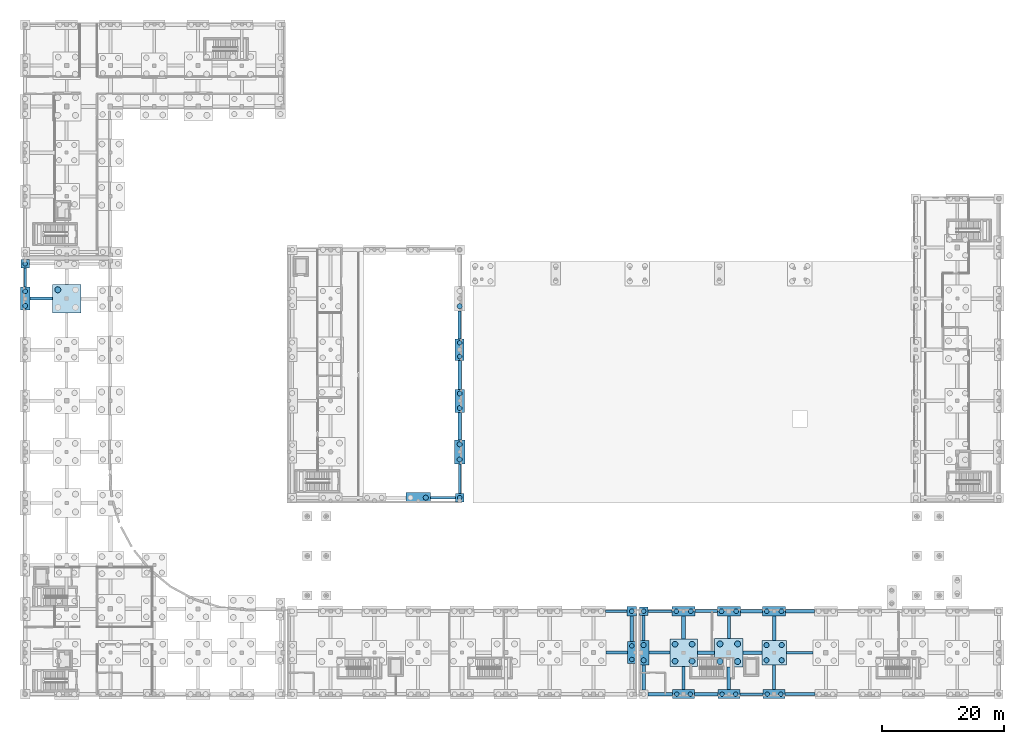
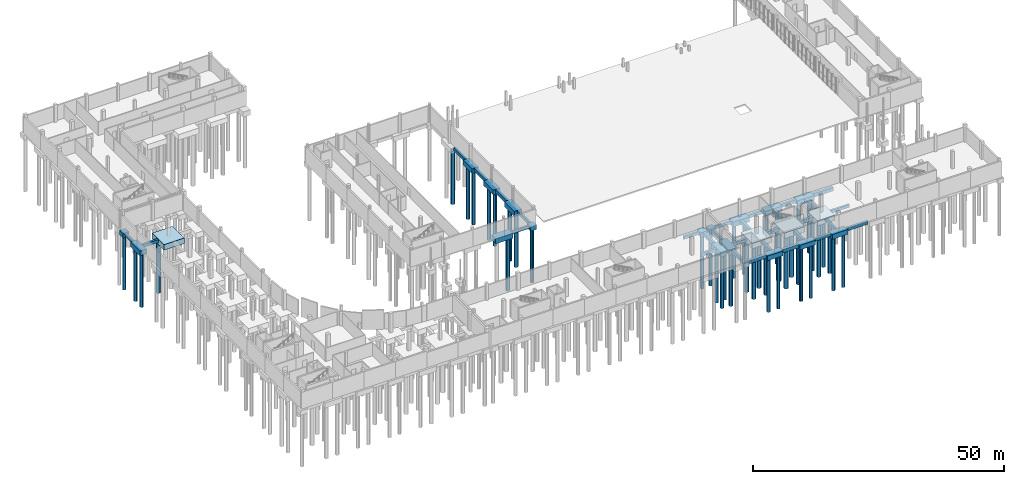
# One storey, part 5 of 41: 51 footings, 43 piles.
"""IFC4 building model written with IfcOpenShell, lengths in metres."""

from ifc_helpers import new_model, si_unit, direction, frame, origin, origin_2d, place, context, subcontext, project, spatial, rectangle, circle, extrude, material, material_profile, profile_set, type_object, element, save


model = new_model("IFC4")

# Units and contexts
model_context = context("Model", 3, precision=1e-05, world=origin(), true_north=direction((0.0, 1.0)))
body_context = subcontext(model_context, "Body", "Model", "MODEL_VIEW")
ifc_project = project(units=[si_unit("LENGTHUNIT", "METRE"), si_unit("AREAUNIT", "SQUARE_METRE"), si_unit("VOLUMEUNIT", "CUBIC_METRE"), si_unit("PLANEANGLEUNIT", "RADIAN"), si_unit("MASSUNIT", "GRAM", prefix="KILO")], contexts=[model_context])

# Site, building, storey
site_placement = place(None, origin())
site = spatial("IfcSite", under=ifc_project, at=site_placement, CompositionType="ELEMENT")
building_placement = place(site_placement, origin())
building = spatial("IfcBuilding", under=site, at=building_placement, Name="Vardoun Plaza Health Centre", CompositionType="ELEMENT")
storey_placement = place(building_placement, frame((0.0, 0.0, -4.5)))
storey = spatial("IfcBuildingStorey", under=building, at=storey_placement, Name="B1", CompositionType="ELEMENT", Elevation=-4.5)

# Footings
ifc_material_1 = material(Name="Concrete C40/50", Category="concrete")
footing_type_1 = type_object("IfcFootingType", Name="PC-01", PredefinedType="PILE_CAP", material=ifc_material_1)
for number, where, z_axis, x_axis, name in (
    (1, (76.300048828125, 37.179931640625, -1.52001953125), (0.0, 0.0, 1.0), (1.0, 0.0, 0.0), "V1 Pile Cap PC-V1-17"),
    (2, (4.8798828125, 75.6201171875, -1.52001953125), (0.0, 0.0, 1.0), (1.0, 0.0, 0.0), "V2 Pile Cap PC-V2-10"),
    (3, (106.5400390625, 18.52001953125, -1.52001953125), (0.0, 0.0, 1.0), (1.0, 0.0, 0.0), "V5 Pile Cap PC-V5-03"),
):
    element("IfcFooting", number, at=place(storey_placement, frame(where, z_axis=z_axis, x_axis=x_axis)), inside=storey, type_object=footing_type_1, Name=name, PredefinedType="PILE_CAP", context=body_context, shape_type="SweptSolid", body=[
        extrude(rectangle(XDim=1.39990234375, YDim=1.39990234375, at=origin_2d()), origin(), (0.0, 0.0, 1.0), 1.10009765625),
    ])
ifc_material_2 = material(Name="Concrete C40/50", Category="concrete")
footing_type_2 = type_object("IfcFootingType", Name="PC-02", PredefinedType="PILE_CAP", material=ifc_material_2)
footing_1_placement = place(storey_placement, frame((104.60009765625, 18.52001953125, -1.570068359375), z_axis=(0.0, 0.0, 1.0), x_axis=(1.0, 0.0, 0.0)))
element("IfcFooting", 4, at=footing_1_placement, inside=storey, type_object=footing_type_2, Name="V4 Pile Cap PC-V4-27", PredefinedType="PILE_CAP", context=body_context, shape_type="SweptSolid", body=[
    extrude(rectangle(XDim=1.550048828125, YDim=1.550048828125, at=origin_2d()), origin(), (0.0, 0.0, 1.0), 1.14990234375),
])
ifc_material_3 = material(Name="Concrete C40/50", Category="concrete")
footing_type_3 = type_object("IfcFootingType", Name="PC-03", PredefinedType="PILE_CAP", material=ifc_material_3)
for number, where, z_axis, x_axis, name in (
    (5, (76.300048828125, 61.5, -1.570068359375), (0.0, 0.0, 1.0), (0.0, 1.0, 0.0), "V1 Pile Cap PC-V1-20"),
    (6, (104.60009765625, 11.699951171875, -1.570068359375), (0.0, 0.0, 1.0), (0.0, 1.0, 0.0), "V4 Pile Cap PC-V4-26"),
    (7, (113.10009765625, 4.8798828125, -1.570068359375), (0.0, 0.0, 1.0), (1.0, 0.0, 0.0), "V5 Pile Cap PC-V5-04"),
    (8, (120.5400390625, 4.8798828125, -1.570068359375), (0.0, 0.0, 1.0), (1.0, 0.0, 0.0), "V5 Pile Cap PC-V5-07"),
    (9, (127.97998046875, 4.8798828125, -1.570068359375), (0.0, 0.0, 1.0), (1.0, 0.0, 0.0), "V5 Pile Cap PC-V5-10"),
):
    element("IfcFooting", number, at=place(storey_placement, frame(where, z_axis=z_axis, x_axis=x_axis)), inside=storey, type_object=footing_type_3, Name=name, PredefinedType="PILE_CAP", context=body_context, shape_type="SweptSolid", body=[
        extrude(rectangle(XDim=3.60009765625, YDim=1.5, at=origin_2d()), origin(), (0.0, 0.0, 1.0), 1.14990234375),
    ])
ifc_material_4 = material(Name="Concrete C40/50", Category="concrete")
footing_type_4 = type_object("IfcFootingType", Name="PC-04", PredefinedType="PILE_CAP", material=ifc_material_4)
for number, where, z_axis, x_axis, name in (
    (10, (76.300048828125, 53.10009765625, -1.6201171875), (0.0, 0.0, 1.0), (0.0, 1.0, 0.0), "V1 Pile Cap PC-V1-19"),
    (11, (4.8798828125, 69.89990234375, -1.6201171875), (0.0, 0.0, 1.0), (0.0, 1.0, 0.0), "V2 Pile Cap PC-V2-09"),
    (12, (113.10009765625, 18.52001953125, -1.6201171875), (0.0, 0.0, 1.0), (1.0, 0.0, 0.0), "V5 Pile Cap PC-V5-06"),
    (13, (120.5400390625, 18.52001953125, -1.6201171875), (0.0, 0.0, 1.0), (1.0, 0.0, 0.0), "V5 Pile Cap PC-V5-09"),
    (14, (127.97998046875, 18.52001953125, -1.6201171875), (0.0, 0.0, 1.0), (1.0, 0.0, 0.0), "V5 Pile Cap PC-V5-12"),
):
    element("IfcFooting", number, at=place(storey_placement, frame(where, z_axis=z_axis, x_axis=x_axis)), inside=storey, type_object=footing_type_4, Name=name, PredefinedType="PILE_CAP", context=body_context, shape_type="SweptSolid", body=[
        extrude(rectangle(XDim=3.800048828125, YDim=1.60009765625, at=origin_2d()), origin(), (0.0, 0.0, 1.0), 1.199951171875),
    ])
ifc_material_5 = material(Name="Concrete C40/50", Category="concrete")
footing_type_5 = type_object("IfcFootingType", Name="PC-05", PredefinedType="PILE_CAP", material=ifc_material_5)
for number, where, z_axis, x_axis, name in (
    (15, (69.47998046875, 37.179931640625, -1.669921875), (0.0, 0.0, 1.0), (1.0, 0.0, 0.0), "V1 Pile Cap PC-V1-15"),
    (16, (76.300048828125, 44.699951171875, -1.669921875), (0.0, 0.0, 1.0), (0.0, 1.0, 0.0), "V1 Pile Cap PC-V1-18"),
    (17, (106.5400390625, 11.699951171875, -1.669921875), (0.0, 0.0, 1.0), (0.0, 1.0, 0.0), "V5 Pile Cap PC-V5-02"),
):
    element("IfcFooting", number, at=place(storey_placement, frame(where, z_axis=z_axis, x_axis=x_axis)), inside=storey, type_object=footing_type_5, Name=name, PredefinedType="PILE_CAP", context=body_context, shape_type="SweptSolid", body=[
        extrude(rectangle(XDim=4.0, YDim=1.699951171875, at=origin_2d()), origin(), (0.0, 0.0, 1.0), 1.25),
    ])
ifc_material_6 = material(Name="Concrete C40/50", Category="concrete")
footing_type_6 = type_object("IfcFootingType", Name="PC-06", PredefinedType="PILE_CAP", material=ifc_material_6)
footing_2_placement = place(storey_placement, frame((127.97998046875, 11.699951171875, -1.6201171875), z_axis=(0.0, 0.0, 1.0), x_axis=(1.0, 0.0, 0.0)))
element("IfcFooting", 18, at=footing_2_placement, inside=storey, type_object=footing_type_6, Name="V5 Pile Cap PC-V5-11", PredefinedType="PILE_CAP", context=body_context, shape_type="SweptSolid", body=[
    extrude(rectangle(XDim=4.0, YDim=4.0, at=origin_2d()), origin(), (0.0, 0.0, 1.0), 1.199951171875),
])
ifc_material_7 = material(Name="Concrete C40/50", Category="concrete")
footing_type_7 = type_object("IfcFootingType", Name="PC-08", PredefinedType="PILE_CAP", material=ifc_material_7)
footing_3_placement = place(storey_placement, frame((113.10009765625, 11.699951171875, -1.72021484375), z_axis=(0.0, 0.0, 1.0), x_axis=(1.0, 0.0, 0.0)))
element("IfcFooting", 19, at=footing_3_placement, inside=storey, type_object=footing_type_7, Name="V5 Pile Cap PC-V5-05", PredefinedType="PILE_CAP", context=body_context, shape_type="SweptSolid", body=[
    extrude(rectangle(XDim=4.5, YDim=4.5, at=origin_2d()), origin(), (0.0, 0.0, 1.0), 1.300048828125),
])
ifc_material_8 = material(Name="Concrete C40/50", Category="concrete")
footing_type_8 = type_object("IfcFootingType", Name="PC-09", PredefinedType="PILE_CAP", material=ifc_material_8)
for number, where, z_axis, x_axis, name in (
    (20, (11.699951171875, 69.89990234375, -1.77001953125), (0.0, 0.0, 1.0), (1.0, 0.0, 0.0), "V2 Pile Cap PC-V2-19"),
    (21, (120.5400390625, 11.699951171875, -1.77001953125), (0.0, 0.0, 1.0), (1.0, 0.0, 0.0), "V5 Pile Cap PC-V5-08"),
):
    element("IfcFooting", number, at=place(storey_placement, frame(where, z_axis=z_axis, x_axis=x_axis)), inside=storey, type_object=footing_type_8, Name=name, PredefinedType="PILE_CAP", context=body_context, shape_type="SweptSolid", body=[
        extrude(rectangle(XDim=4.699951171875, YDim=4.699951171875, at=origin_2d()), origin(), (0.0, 0.0, 1.0), 1.35009765625),
    ])
ifc_material_9 = material(Name="Concrete C40/50", Category="concrete")
ifc_material_profile_1 = material_profile(ifc_material_9, rectangle(XDim=0.449951171875, YDim=0.699951171875, at=origin_2d()), Name="GB 450x700")
ifc_profile_set_1 = profile_set([ifc_material_profile_1], Name="Concrete C40/50")
footing_type_9 = type_object("IfcFootingType", Name="GB-01", PredefinedType="FOOTING_BEAM", material=ifc_profile_set_1)
footing_4_placement = place(storey_placement, frame((71.47998046875, 37.179931640625, -0.77001953125), z_axis=(1.0, 0.0, 0.0), x_axis=(0.0, 1.0, 0.0)))
element("IfcFooting", 22, at=footing_4_placement, inside=storey, type_object=footing_type_9, Name="V1 Ground Tie Beam 11", PredefinedType="FOOTING_BEAM", context=body_context, shape_type="SweptSolid", body=[
    extrude(rectangle(XDim=0.449951171875, YDim=0.699951171875, at=origin_2d()), origin(), (0.0, 0.0, 1.0), 4.1201171875),
])
footing_5_placement = place(storey_placement, frame((76.300048828125, 37.8798828125, -0.77001953125), z_axis=(0.0, 1.0, 0.0), x_axis=(-1.0, 0.0, 0.0)))
element("IfcFooting", 23, at=footing_5_placement, inside=storey, type_object=footing_type_9, Name="V1 Ground Tie Beam 23", PredefinedType="FOOTING_BEAM", context=body_context, shape_type="SweptSolid", body=[
    extrude(rectangle(XDim=0.449951171875, YDim=0.699951171875, at=origin_2d()), origin(), (0.0, 0.0, 1.0), 4.820068359375),
])
footing_6_placement = place(storey_placement, frame((4.8798828125, 71.800048828125, -0.77001953125), z_axis=(0.0, 1.0, 0.0), x_axis=(-1.0, 0.0, 0.0)))
element("IfcFooting", 24, at=footing_6_placement, inside=storey, type_object=footing_type_9, Name="V2 Ground Tie Beam 42", PredefinedType="FOOTING_BEAM", context=body_context, shape_type="SweptSolid", body=[
    extrude(rectangle(XDim=0.449951171875, YDim=0.699951171875, at=origin_2d()), origin(), (0.0, 0.0, 1.0), 3.119873046875),
])
footing_7_placement = place(storey_placement, frame((100.280029296875, 18.52001953125, -0.77001953125), z_axis=(1.0, 0.0, 0.0), x_axis=(0.0, 1.0, 0.0)))
element("IfcFooting", 25, at=footing_7_placement, inside=storey, type_object=footing_type_9, Name="V4 Ground Tie Beam 24", PredefinedType="FOOTING_BEAM", context=body_context, shape_type="SweptSolid", body=[
    extrude(rectangle(XDim=0.449951171875, YDim=0.699951171875, at=origin_2d()), origin(), (0.0, 0.0, 1.0), 3.544921875),
])
footing_8_placement = place(storey_placement, frame((107.239990234375, 18.52001953125, -0.77001953125), z_axis=(1.0, 0.0, 0.0), x_axis=(0.0, 1.0, 0.0)))
element("IfcFooting", 26, at=footing_8_placement, inside=storey, type_object=footing_type_9, Name="V5 Ground Tie Beam 3", PredefinedType="FOOTING_BEAM", context=body_context, shape_type="SweptSolid", body=[
    extrude(rectangle(XDim=0.449951171875, YDim=0.699951171875, at=origin_2d()), origin(), (0.0, 0.0, 1.0), 3.9599609375),
])
footing_9_placement = place(storey_placement, frame((122.340087890625, 4.8798828125, -0.77001953125), z_axis=(1.0, 0.0, 0.0), x_axis=(0.0, 1.0, 0.0)))
element("IfcFooting", 27, at=footing_9_placement, inside=storey, type_object=footing_type_9, Name="V5 Ground Tie Beam 7", PredefinedType="FOOTING_BEAM", context=body_context, shape_type="SweptSolid", body=[
    extrude(rectangle(XDim=0.449951171875, YDim=0.699951171875, at=origin_2d()), origin(), (0.0, 0.0, 1.0), 3.83984375),
])
footing_10_placement = place(storey_placement, frame((129.97998046875, 11.699951171875, -0.77001953125), z_axis=(1.0, 0.0, 0.0), x_axis=(0.0, 1.0, 0.0)))
element("IfcFooting", 28, at=footing_10_placement, inside=storey, type_object=footing_type_9, Name="V5 Ground Tie Beam 11", PredefinedType="FOOTING_BEAM", context=body_context, shape_type="SweptSolid", body=[
    extrude(rectangle(XDim=0.449951171875, YDim=0.699951171875, at=origin_2d()), origin(), (0.0, 0.0, 1.0), 4.419921875),
])
footing_11_placement = place(storey_placement, frame((113.10009765625, 5.6298828125, -0.77001953125), z_axis=(0.0, 1.0, 0.0), x_axis=(-1.0, 0.0, 0.0)))
element("IfcFooting", 29, at=footing_11_placement, inside=storey, type_object=footing_type_9, Name="V5 Ground Tie Beam 27", PredefinedType="FOOTING_BEAM", context=body_context, shape_type="SweptSolid", body=[
    extrude(rectangle(XDim=0.449951171875, YDim=0.699951171875, at=origin_2d()), origin(), (0.0, 0.0, 1.0), 3.820068359375),
])
footing_12_placement = place(storey_placement, frame((127.97998046875, 5.6298828125, -0.77001953125), z_axis=(0.0, 1.0, 0.0), x_axis=(-1.0, 0.0, 0.0)))
element("IfcFooting", 30, at=footing_12_placement, inside=storey, type_object=footing_type_9, Name="V5 Ground Tie Beam 31", PredefinedType="FOOTING_BEAM", context=body_context, shape_type="SweptSolid", body=[
    extrude(rectangle(XDim=0.449951171875, YDim=0.699951171875, at=origin_2d()), origin(), (0.0, 0.0, 1.0), 4.070068359375),
])
ifc_material_10 = material(Name="Concrete C40/50", Category="concrete")
ifc_material_profile_2 = material_profile(ifc_material_10, rectangle(XDim=0.5, YDim=0.75, at=origin_2d()), Name="GB 500x750")
ifc_profile_set_2 = profile_set([ifc_material_profile_2], Name="Concrete C40/50")
footing_type_10 = type_object("IfcFootingType", Name="GB-02", PredefinedType="FOOTING_BEAM", material=ifc_profile_set_2)
footing_13_placement = place(storey_placement, frame((76.300048828125, 63.300048828125, -0.794921875), z_axis=(0.0, 1.0, 0.0), x_axis=(-1.0, 0.0, 0.0)))
element("IfcFooting", 31, at=footing_13_placement, inside=storey, type_object=footing_type_10, Name="V1 Ground Tie Beam 26", PredefinedType="FOOTING_BEAM", context=body_context, shape_type="SweptSolid", body=[
    extrude(rectangle(XDim=0.5, YDim=0.75, at=origin_2d()), origin(), (0.0, 0.0, 1.0), 4.60009765625),
])
footing_14_placement = place(storey_placement, frame((5.679931640625, 69.900146484375, -0.794921875), z_axis=(1.0, 0.0, 0.0), x_axis=(0.0, 1.0, 0.0)))
element("IfcFooting", 32, at=footing_14_placement, inside=storey, type_object=footing_type_10, Name="V2 Ground Tie Beam 9", PredefinedType="FOOTING_BEAM", context=body_context, shape_type="SweptSolid", body=[
    extrude(rectangle(XDim=0.5, YDim=0.75, at=origin_2d()), origin(), (0.0, 0.0, 1.0), 3.670166015625),
])
footing_15_placement = place(storey_placement, frame((100.3798828125, 11.699951171875, -0.794921875), z_axis=(1.0, 0.0, 0.0), x_axis=(0.0, 1.0, 0.0)))
element("IfcFooting", 33, at=footing_15_placement, inside=storey, type_object=footing_type_10, Name="V4 Ground Tie Beam 23", PredefinedType="FOOTING_BEAM", context=body_context, shape_type="SweptSolid", body=[
    extrude(rectangle(XDim=0.5, YDim=0.75, at=origin_2d()), origin(), (0.0, 0.0, 1.0), 3.47021484375),
])
footing_16_placement = place(storey_placement, frame((107.389892578125, 11.699951171875, -0.794921875), z_axis=(1.0, 0.0, 0.0), x_axis=(0.0, 1.0, 0.0)))
element("IfcFooting", 34, at=footing_16_placement, inside=storey, type_object=footing_type_10, Name="V5 Ground Tie Beam 2", PredefinedType="FOOTING_BEAM", context=body_context, shape_type="SweptSolid", body=[
    extrude(rectangle(XDim=0.5, YDim=0.75, at=origin_2d()), origin(), (0.0, 0.0, 1.0), 3.460205078125),
])
footing_17_placement = place(storey_placement, frame((115.0, 18.52001953125, -0.794921875), z_axis=(1.0, 0.0, 0.0), x_axis=(0.0, 1.0, 0.0)))
element("IfcFooting", 35, at=footing_17_placement, inside=storey, type_object=footing_type_10, Name="V5 Ground Tie Beam 6", PredefinedType="FOOTING_BEAM", context=body_context, shape_type="SweptSolid", body=[
    extrude(rectangle(XDim=0.5, YDim=0.75, at=origin_2d()), origin(), (0.0, 0.0, 1.0), 3.639892578125),
])
footing_18_placement = place(storey_placement, frame((129.780029296875, 4.8798828125, -0.794921875), z_axis=(1.0, 0.0, 0.0), x_axis=(0.0, 1.0, 0.0)))
element("IfcFooting", 36, at=footing_18_placement, inside=storey, type_object=footing_type_10, Name="V5 Ground Tie Beam 10", PredefinedType="FOOTING_BEAM", context=body_context, shape_type="SweptSolid", body=[
    extrude(rectangle(XDim=0.5, YDim=0.75, at=origin_2d()), origin(), (0.0, 0.0, 1.0), 4.919921875),
])
footing_19_placement = place(storey_placement, frame((106.5400390625, 13.699951171875, -0.794921875), z_axis=(0.0, 1.0, 0.0), x_axis=(-1.0, 0.0, 0.0)))
element("IfcFooting", 37, at=footing_19_placement, inside=storey, type_object=footing_type_10, Name="V5 Ground Tie Beam 26", PredefinedType="FOOTING_BEAM", context=body_context, shape_type="SweptSolid", body=[
    extrude(rectangle(XDim=0.5, YDim=0.75, at=origin_2d()), origin(), (0.0, 0.0, 1.0), 4.1201171875),
])
footing_20_placement = place(storey_placement, frame((120.5400390625, 14.050048828125, -0.794921875), z_axis=(0.0, 1.0, 0.0), x_axis=(-1.0, 0.0, 0.0)))
element("IfcFooting", 38, at=footing_20_placement, inside=storey, type_object=footing_type_10, Name="V5 Ground Tie Beam 30", PredefinedType="FOOTING_BEAM", context=body_context, shape_type="SweptSolid", body=[
    extrude(rectangle(XDim=0.5, YDim=0.75, at=origin_2d()), origin(), (0.0, 0.0, 1.0), 3.669921875),
])
ifc_material_11 = material(Name="Concrete C40/50", Category="concrete")
ifc_material_profile_3 = material_profile(ifc_material_11, rectangle(XDim=0.550048828125, YDim=0.800048828125, at=origin_2d()), Name="GB 550x800")
ifc_profile_set_3 = profile_set([ifc_material_profile_3], Name="Concrete C40/50")
footing_type_11 = type_object("IfcFootingType", Name="GB-03", PredefinedType="FOOTING_BEAM", material=ifc_profile_set_3)
footing_21_placement = place(storey_placement, frame((76.300048828125, 55.0, -0.820068359375), z_axis=(0.0, 1.0, 0.0), x_axis=(-1.0, 0.0, 0.0)))
element("IfcFooting", 39, at=footing_21_placement, inside=storey, type_object=footing_type_11, Name="V1 Ground Tie Beam 25", PredefinedType="FOOTING_BEAM", context=body_context, shape_type="SweptSolid", body=[
    extrude(rectangle(XDim=0.550048828125, YDim=0.800048828125, at=origin_2d()), origin(), (0.0, 0.0, 1.0), 4.699951171875),
])
footing_22_placement = place(storey_placement, frame((104.60009765625, 13.5, -0.820068359375), z_axis=(0.0, 1.0, 0.0), x_axis=(-1.0, 0.0, 0.0)))
element("IfcFooting", 40, at=footing_22_placement, inside=storey, type_object=footing_type_11, Name="V4 Ground Tie Beam 42", PredefinedType="FOOTING_BEAM", context=body_context, shape_type="SweptSolid", body=[
    extrude(rectangle(XDim=0.550048828125, YDim=0.800048828125, at=origin_2d()), origin(), (0.0, 0.0, 1.0), 4.2451171875),
])
footing_23_placement = place(storey_placement, frame((107.239990234375, 4.8798828125, -0.820068359375), z_axis=(1.0, 0.0, 0.0), x_axis=(0.0, 1.0, 0.0)))
element("IfcFooting", 41, at=footing_23_placement, inside=storey, type_object=footing_type_11, Name="V5 Ground Tie Beam 1", PredefinedType="FOOTING_BEAM", context=body_context, shape_type="SweptSolid", body=[
    extrude(rectangle(XDim=0.550048828125, YDim=0.800048828125, at=origin_2d()), origin(), (0.0, 0.0, 1.0), 4.06005859375),
])
footing_24_placement = place(storey_placement, frame((115.35009765625, 11.699951171875, -0.820068359375), z_axis=(1.0, 0.0, 0.0), x_axis=(0.0, 1.0, 0.0)))
element("IfcFooting", 42, at=footing_24_placement, inside=storey, type_object=footing_type_11, Name="V5 Ground Tie Beam 5", PredefinedType="FOOTING_BEAM", context=body_context, shape_type="SweptSolid", body=[
    extrude(rectangle(XDim=0.550048828125, YDim=0.800048828125, at=origin_2d()), origin(), (0.0, 0.0, 1.0), 2.840087890625),
])
footing_25_placement = place(storey_placement, frame((122.440185546875, 18.52001953125, -0.820068359375), z_axis=(1.0, 0.0, 0.0), x_axis=(0.0, 1.0, 0.0)))
element("IfcFooting", 43, at=footing_25_placement, inside=storey, type_object=footing_type_11, Name="V5 Ground Tie Beam 9", PredefinedType="FOOTING_BEAM", context=body_context, shape_type="SweptSolid", body=[
    extrude(rectangle(XDim=0.550048828125, YDim=0.800048828125, at=origin_2d()), origin(), (0.0, 0.0, 1.0), 3.639892578125),
])
footing_26_placement = place(storey_placement, frame((106.5400390625, 5.580078125, -0.820068359375), z_axis=(0.0, 1.0, 0.0), x_axis=(-1.0, 0.0, 0.0)))
element("IfcFooting", 44, at=footing_26_placement, inside=storey, type_object=footing_type_11, Name="V5 Ground Tie Beam 25", PredefinedType="FOOTING_BEAM", context=body_context, shape_type="SweptSolid", body=[
    extrude(rectangle(XDim=0.550048828125, YDim=0.800048828125, at=origin_2d()), origin(), (0.0, 0.0, 1.0), 4.119873046875),
])
footing_27_placement = place(storey_placement, frame((120.5400390625, 5.6298828125, -0.820068359375), z_axis=(0.0, 1.0, 0.0), x_axis=(-1.0, 0.0, 0.0)))
element("IfcFooting", 45, at=footing_27_placement, inside=storey, type_object=footing_type_11, Name="V5 Ground Tie Beam 29", PredefinedType="FOOTING_BEAM", context=body_context, shape_type="SweptSolid", body=[
    extrude(rectangle(XDim=0.550048828125, YDim=0.800048828125, at=origin_2d()), origin(), (0.0, 0.0, 1.0), 3.72021484375),
])
ifc_material_12 = material(Name="Concrete C40/50", Category="concrete")
ifc_material_profile_4 = material_profile(ifc_material_12, rectangle(XDim=0.60009765625, YDim=0.85009765625, at=origin_2d()), Name="GB 600x850")
ifc_profile_set_4 = profile_set([ifc_material_profile_4], Name="Concrete C40/50")
footing_type_12 = type_object("IfcFootingType", Name="GB-04", PredefinedType="FOOTING_BEAM", material=ifc_profile_set_4)
footing_28_placement = place(storey_placement, frame((76.300048828125, 46.699951171875, -0.844970703125), z_axis=(0.0, 1.0, 0.0), x_axis=(-1.0, 0.0, 0.0)))
element("IfcFooting", 46, at=footing_28_placement, inside=storey, type_object=footing_type_12, Name="V1 Ground Tie Beam 24", PredefinedType="FOOTING_BEAM", context=body_context, shape_type="SweptSolid", body=[
    extrude(rectangle(XDim=0.60009765625, YDim=0.85009765625, at=origin_2d()), origin(), (0.0, 0.0, 1.0), 4.5),
])
footing_29_placement = place(storey_placement, frame((114.900146484375, 4.8798828125, -0.844970703125), z_axis=(1.0, 0.0, 0.0), x_axis=(0.0, 1.0, 0.0)))
element("IfcFooting", 47, at=footing_29_placement, inside=storey, type_object=footing_type_12, Name="V5 Ground Tie Beam 4", PredefinedType="FOOTING_BEAM", context=body_context, shape_type="SweptSolid", body=[
    extrude(rectangle(XDim=0.60009765625, YDim=0.85009765625, at=origin_2d()), origin(), (0.0, 0.0, 1.0), 3.83984375),
])
footing_30_placement = place(storey_placement, frame((122.889892578125, 11.699951171875, -0.844970703125), z_axis=(1.0, 0.0, 0.0), x_axis=(0.0, 1.0, 0.0)))
element("IfcFooting", 48, at=footing_30_placement, inside=storey, type_object=footing_type_12, Name="V5 Ground Tie Beam 8", PredefinedType="FOOTING_BEAM", context=body_context, shape_type="SweptSolid", body=[
    extrude(rectangle(XDim=0.60009765625, YDim=0.85009765625, at=origin_2d()), origin(), (0.0, 0.0, 1.0), 3.090087890625),
])
footing_31_placement = place(storey_placement, frame((129.8798828125, 18.52001953125, -0.844970703125), z_axis=(1.0, 0.0, 0.0), x_axis=(0.0, 1.0, 0.0)))
element("IfcFooting", 49, at=footing_31_placement, inside=storey, type_object=footing_type_12, Name="V5 Ground Tie Beam 12", PredefinedType="FOOTING_BEAM", context=body_context, shape_type="SweptSolid", body=[
    extrude(rectangle(XDim=0.60009765625, YDim=0.85009765625, at=origin_2d()), origin(), (0.0, 0.0, 1.0), 4.72021484375),
])
footing_32_placement = place(storey_placement, frame((113.10009765625, 13.949951171875, -0.844970703125), z_axis=(0.0, 1.0, 0.0), x_axis=(-1.0, 0.0, 0.0)))
element("IfcFooting", 50, at=footing_32_placement, inside=storey, type_object=footing_type_12, Name="V5 Ground Tie Beam 28", PredefinedType="FOOTING_BEAM", context=body_context, shape_type="SweptSolid", body=[
    extrude(rectangle(XDim=0.60009765625, YDim=0.85009765625, at=origin_2d()), origin(), (0.0, 0.0, 1.0), 3.77001953125),
])
footing_33_placement = place(storey_placement, frame((127.97998046875, 13.699951171875, -0.844970703125), z_axis=(0.0, 1.0, 0.0), x_axis=(-1.0, 0.0, 0.0)))
element("IfcFooting", 51, at=footing_33_placement, inside=storey, type_object=footing_type_12, Name="V5 Ground Tie Beam 32", PredefinedType="FOOTING_BEAM", context=body_context, shape_type="SweptSolid", body=[
    extrude(rectangle(XDim=0.60009765625, YDim=0.85009765625, at=origin_2d()), origin(), (0.0, 0.0, 1.0), 4.02001953125),
])

# Piles
ifc_material_13 = material(Name="Concrete C40/50", Category="concrete")
ifc_material_profile_5 = material_profile(ifc_material_13, circle(Radius=0.5, at=origin_2d()), Name="PILE D1000")
ifc_profile_set_5 = profile_set([ifc_material_profile_5], Name="Concrete C40/50")
pile_type_1 = type_object("IfcPileType", Name="PL-06", PredefinedType="BORED", material=ifc_profile_set_5)
for number, where, z_axis, x_axis, name in (
    (52, (10.25, 71.35009765625, -1.669921875), (0.0, 0.0, -1.0), (1.0, 0.0, 0.0), "V2 Bored Pile PL-V2-19C"),
    (53, (119.090087890625, 10.25, -1.669921875), (0.0, 0.0, -1.0), (1.0, 0.0, 0.0), "V5 Bored Pile PL-V5-08A"),
    (54, (121.989990234375, 10.25, -1.669921875), (0.0, 0.0, -1.0), (1.0, 0.0, 0.0), "V5 Bored Pile PL-V5-08B"),
    (55, (119.090087890625, 13.14990234375, -1.669921875), (0.0, 0.0, -1.0), (1.0, 0.0, 0.0), "V5 Bored Pile PL-V5-08C"),
    (56, (121.989990234375, 13.14990234375, -1.669921875), (0.0, 0.0, -1.0), (1.0, 0.0, 0.0), "V5 Bored Pile PL-V5-08D"),
):
    element("IfcPile", number, at=place(storey_placement, frame(where, z_axis=z_axis, x_axis=x_axis)), inside=storey, type_object=pile_type_1, Name=name, PredefinedType="BORED", context=body_context, shape_type="SweptSolid", body=[
        extrude(circle(Radius=0.5, at=origin_2d()), origin(), (0.0, 0.0, 1.0), 12.830078125),
    ])
ifc_material_14 = material(Name="Concrete C40/50", Category="concrete")
ifc_material_profile_6 = material_profile(ifc_material_14, circle(Radius=0.375, at=origin_2d()), Name="PILE D750")
ifc_profile_set_6 = profile_set([ifc_material_profile_6], Name="Concrete C40/50")
pile_type_2 = type_object("IfcPileType", Name="PL-01", PredefinedType="BORED", material=ifc_profile_set_6)
pile_1_placement = place(storey_placement, frame((76.300048828125, 37.179931640625, -1.419921875), z_axis=(0.0, 0.0, -1.0), x_axis=(1.0, 0.0, 0.0)))
element("IfcPile", 57, at=pile_1_placement, inside=storey, type_object=pile_type_2, Name="V1 Bored Pile PL-V1-17A", PredefinedType="BORED", context=body_context, shape_type="SweptSolid", body=[
    extrude(circle(Radius=0.375, at=origin_2d()), origin(), (0.0, 0.0, 1.0), 13.080078125),
])
for number, where, z_axis, x_axis, name in (
    (58, (76.300048828125, 60.3798828125, -1.469970703125), (0.0, 0.0, -1.0), (1.0, 0.0, 0.0), "V1 Bored Pile PL-V1-20A"),
    (59, (76.300048828125, 62.6201171875, -1.469970703125), (0.0, 0.0, -1.0), (1.0, 0.0, 0.0), "V1 Bored Pile PL-V1-20B"),
):
    element("IfcPile", number, at=place(storey_placement, frame(where, z_axis=z_axis, x_axis=x_axis)), inside=storey, type_object=pile_type_2, Name=name, PredefinedType="BORED", context=body_context, shape_type="SweptSolid", body=[
        extrude(circle(Radius=0.375, at=origin_2d()), origin(), (0.0, 0.0, 1.0), 13.030029296875),
    ])
pile_2_placement = place(storey_placement, frame((4.8798828125, 75.6201171875, -1.419921875), z_axis=(0.0, 0.0, -1.0), x_axis=(1.0, 0.0, 0.0)))
element("IfcPile", 60, at=pile_2_placement, inside=storey, type_object=pile_type_2, Name="V2 Bored Pile PL-V2-10A", PredefinedType="BORED", context=body_context, shape_type="SweptSolid", body=[
    extrude(circle(Radius=0.375, at=origin_2d()), origin(), (0.0, 0.0, 1.0), 13.080078125),
])
for number, where, z_axis, x_axis, name in (
    (61, (104.60009765625, 10.580078125, -1.469970703125), (0.0, 0.0, -1.0), (1.0, 0.0, 0.0), "V4 Bored Pile PL-V4-26A"),
    (62, (104.60009765625, 12.820068359375, -1.469970703125), (0.0, 0.0, -1.0), (1.0, 0.0, 0.0), "V4 Bored Pile PL-V4-26B"),
):
    element("IfcPile", number, at=place(storey_placement, frame(where, z_axis=z_axis, x_axis=x_axis)), inside=storey, type_object=pile_type_2, Name=name, PredefinedType="BORED", context=body_context, shape_type="SweptSolid", body=[
        extrude(circle(Radius=0.375, at=origin_2d()), origin(), (0.0, 0.0, 1.0), 13.030029296875),
    ])
pile_3_placement = place(storey_placement, frame((106.5400390625, 18.52001953125, -1.419921875), z_axis=(0.0, 0.0, -1.0), x_axis=(1.0, 0.0, 0.0)))
element("IfcPile", 63, at=pile_3_placement, inside=storey, type_object=pile_type_2, Name="V5 Bored Pile PL-V5-03A", PredefinedType="BORED", context=body_context, shape_type="SweptSolid", body=[
    extrude(circle(Radius=0.375, at=origin_2d()), origin(), (0.0, 0.0, 1.0), 13.080078125),
])
for number, where, z_axis, x_axis, name in (
    (64, (111.97998046875, 4.8798828125, -1.469970703125), (0.0, 0.0, -1.0), (1.0, 0.0, 0.0), "V5 Bored Pile PL-V5-04A"),
    (65, (114.219970703125, 4.8798828125, -1.469970703125), (0.0, 0.0, -1.0), (1.0, 0.0, 0.0), "V5 Bored Pile PL-V5-04B"),
    (66, (119.419921875, 4.8798828125, -1.469970703125), (0.0, 0.0, -1.0), (1.0, 0.0, 0.0), "V5 Bored Pile PL-V5-07A"),
    (67, (121.659912109375, 4.8798828125, -1.469970703125), (0.0, 0.0, -1.0), (1.0, 0.0, 0.0), "V5 Bored Pile PL-V5-07B"),
    (68, (126.860107421875, 4.8798828125, -1.469970703125), (0.0, 0.0, -1.0), (1.0, 0.0, 0.0), "V5 Bored Pile PL-V5-10A"),
    (69, (129.10009765625, 4.8798828125, -1.469970703125), (0.0, 0.0, -1.0), (1.0, 0.0, 0.0), "V5 Bored Pile PL-V5-10B"),
):
    element("IfcPile", number, at=place(storey_placement, frame(where, z_axis=z_axis, x_axis=x_axis)), inside=storey, type_object=pile_type_2, Name=name, PredefinedType="BORED", context=body_context, shape_type="SweptSolid", body=[
        extrude(circle(Radius=0.375, at=origin_2d()), origin(), (0.0, 0.0, 1.0), 13.030029296875),
    ])
ifc_material_15 = material(Name="Concrete C40/50", Category="concrete")
ifc_material_profile_7 = material_profile(ifc_material_15, circle(Radius=0.39990234375, at=origin_2d()), Name="PILE D800")
ifc_profile_set_7 = profile_set([ifc_material_profile_7], Name="Concrete C40/50")
pile_type_3 = type_object("IfcPileType", Name="PL-02", PredefinedType="BORED", material=ifc_profile_set_7)
for number, where, z_axis, x_axis, name in (
    (70, (76.300048828125, 51.89990234375, -1.52001953125), (0.0, 0.0, -1.0), (1.0, 0.0, 0.0), "V1 Bored Pile PL-V1-19A"),
    (71, (76.300048828125, 54.300048828125, -1.52001953125), (0.0, 0.0, -1.0), (1.0, 0.0, 0.0), "V1 Bored Pile PL-V1-19B"),
    (72, (4.8798828125, 68.699951171875, -1.52001953125), (0.0, 0.0, -1.0), (1.0, 0.0, 0.0), "V2 Bored Pile PL-V2-09A"),
    (73, (4.8798828125, 71.10009765625, -1.52001953125), (0.0, 0.0, -1.0), (1.0, 0.0, 0.0), "V2 Bored Pile PL-V2-09B"),
):
    element("IfcPile", number, at=place(storey_placement, frame(where, z_axis=z_axis, x_axis=x_axis)), inside=storey, type_object=pile_type_3, Name=name, PredefinedType="BORED", context=body_context, shape_type="SweptSolid", body=[
        extrude(circle(Radius=0.39990234375, at=origin_2d()), origin(), (0.0, 0.0, 1.0), 12.97998046875),
    ])
pile_4_placement = place(storey_placement, frame((104.60009765625, 18.52001953125, -1.469970703125), z_axis=(0.0, 0.0, -1.0), x_axis=(1.0, 0.0, 0.0)))
element("IfcPile", 74, at=pile_4_placement, inside=storey, type_object=pile_type_3, Name="V4 Bored Pile PL-V4-27A", PredefinedType="BORED", context=body_context, shape_type="SweptSolid", body=[
    extrude(circle(Radius=0.39990234375, at=origin_2d()), origin(), (0.0, 0.0, 1.0), 13.030029296875),
])
for number, where, z_axis, x_axis, name in (
    (75, (111.89990234375, 18.52001953125, -1.52001953125), (0.0, 0.0, -1.0), (1.0, 0.0, 0.0), "V5 Bored Pile PL-V5-06A"),
    (76, (114.300048828125, 18.52001953125, -1.52001953125), (0.0, 0.0, -1.0), (1.0, 0.0, 0.0), "V5 Bored Pile PL-V5-06B"),
    (77, (119.340087890625, 18.52001953125, -1.52001953125), (0.0, 0.0, -1.0), (1.0, 0.0, 0.0), "V5 Bored Pile PL-V5-09A"),
    (78, (121.739990234375, 18.52001953125, -1.52001953125), (0.0, 0.0, -1.0), (1.0, 0.0, 0.0), "V5 Bored Pile PL-V5-09B"),
    (79, (126.780029296875, 18.52001953125, -1.52001953125), (0.0, 0.0, -1.0), (1.0, 0.0, 0.0), "V5 Bored Pile PL-V5-12A"),
    (80, (129.179931640625, 18.52001953125, -1.52001953125), (0.0, 0.0, -1.0), (1.0, 0.0, 0.0), "V5 Bored Pile PL-V5-12B"),
):
    element("IfcPile", number, at=place(storey_placement, frame(where, z_axis=z_axis, x_axis=x_axis)), inside=storey, type_object=pile_type_3, Name=name, PredefinedType="BORED", context=body_context, shape_type="SweptSolid", body=[
        extrude(circle(Radius=0.39990234375, at=origin_2d()), origin(), (0.0, 0.0, 1.0), 12.97998046875),
    ])
ifc_material_16 = material(Name="Concrete C40/50", Category="concrete")
ifc_material_profile_8 = material_profile(ifc_material_16, circle(Radius=0.425048828125, at=origin_2d()), Name="PILE D850")
ifc_profile_set_8 = profile_set([ifc_material_profile_8], Name="Concrete C40/50")
pile_type_4 = type_object("IfcPileType", Name="PL-03", PredefinedType="BORED", material=ifc_profile_set_8)
for number, where, z_axis, x_axis, name in (
    (81, (70.72998046875, 37.179931640625, -1.570068359375), (0.0, 0.0, -1.0), (1.0, 0.0, 0.0), "V1 Bored Pile PL-V1-15B"),
    (82, (76.300048828125, 43.449951171875, -1.570068359375), (0.0, 0.0, -1.0), (1.0, 0.0, 0.0), "V1 Bored Pile PL-V1-18A"),
    (83, (76.300048828125, 45.949951171875, -1.570068359375), (0.0, 0.0, -1.0), (1.0, 0.0, 0.0), "V1 Bored Pile PL-V1-18B"),
    (84, (76.300048828125, 68.64990234375, -1.570068359375), (0.0, 0.0, -1.0), (1.0, 0.0, 0.0), "V1 Bored Pile PL-V1-21A"),
    (85, (106.5400390625, 10.449951171875, -1.570068359375), (0.0, 0.0, -1.0), (1.0, 0.0, 0.0), "V5 Bored Pile PL-V5-02A"),
    (86, (106.5400390625, 12.949951171875, -1.570068359375), (0.0, 0.0, -1.0), (1.0, 0.0, 0.0), "V5 Bored Pile PL-V5-02B"),
):
    element("IfcPile", number, at=place(storey_placement, frame(where, z_axis=z_axis, x_axis=x_axis)), inside=storey, type_object=pile_type_4, Name=name, PredefinedType="BORED", context=body_context, shape_type="SweptSolid", body=[
        extrude(circle(Radius=0.425048828125, at=origin_2d()), origin(), (0.0, 0.0, 1.0), 12.929931640625),
    ])
for number, where, z_axis, x_axis, name in (
    (87, (126.72998046875, 10.449951171875, -1.52001953125), (0.0, 0.0, -1.0), (1.0, 0.0, 0.0), "V5 Bored Pile PL-V5-11A"),
    (88, (129.22998046875, 10.449951171875, -1.52001953125), (0.0, 0.0, -1.0), (1.0, 0.0, 0.0), "V5 Bored Pile PL-V5-11B"),
    (89, (126.72998046875, 12.949951171875, -1.52001953125), (0.0, 0.0, -1.0), (1.0, 0.0, 0.0), "V5 Bored Pile PL-V5-11C"),
    (90, (129.22998046875, 12.949951171875, -1.52001953125), (0.0, 0.0, -1.0), (1.0, 0.0, 0.0), "V5 Bored Pile PL-V5-11D"),
):
    element("IfcPile", number, at=place(storey_placement, frame(where, z_axis=z_axis, x_axis=x_axis)), inside=storey, type_object=pile_type_4, Name=name, PredefinedType="BORED", context=body_context, shape_type="SweptSolid", body=[
        extrude(circle(Radius=0.425048828125, at=origin_2d()), origin(), (0.0, 0.0, 1.0), 12.97998046875),
    ])
ifc_material_17 = material(Name="Concrete C40/50", Category="concrete")
ifc_material_profile_9 = material_profile(ifc_material_17, circle(Radius=0.47509765625, at=origin_2d()), Name="PILE D950")
ifc_profile_set_9 = profile_set([ifc_material_profile_9], Name="Concrete C40/50")
pile_type_5 = type_object("IfcPileType", Name="PL-05", PredefinedType="BORED", material=ifc_profile_set_9)
for number, where, z_axis, x_axis, name in (
    (91, (111.699951171875, 10.300048828125, -1.6201171875), (0.0, 0.0, -1.0), (1.0, 0.0, 0.0), "V5 Bored Pile PL-V5-05A"),
    (92, (114.5, 10.300048828125, -1.6201171875), (0.0, 0.0, -1.0), (1.0, 0.0, 0.0), "V5 Bored Pile PL-V5-05B"),
    (93, (111.699951171875, 13.10009765625, -1.6201171875), (0.0, 0.0, -1.0), (1.0, 0.0, 0.0), "V5 Bored Pile PL-V5-05C"),
    (94, (114.5, 13.10009765625, -1.6201171875), (0.0, 0.0, -1.0), (1.0, 0.0, 0.0), "V5 Bored Pile PL-V5-05D"),
):
    element("IfcPile", number, at=place(storey_placement, frame(where, z_axis=z_axis, x_axis=x_axis)), inside=storey, type_object=pile_type_5, Name=name, PredefinedType="BORED", context=body_context, shape_type="SweptSolid", body=[
        extrude(circle(Radius=0.47509765625, at=origin_2d()), origin(), (0.0, 0.0, 1.0), 12.8798828125),
    ])

save(model, "model.ifc")
